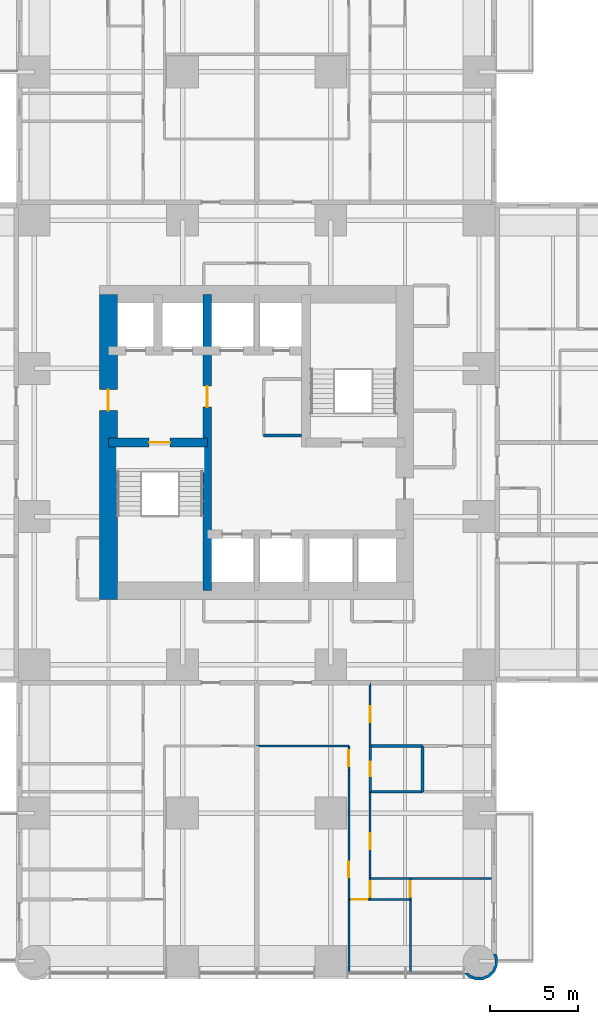
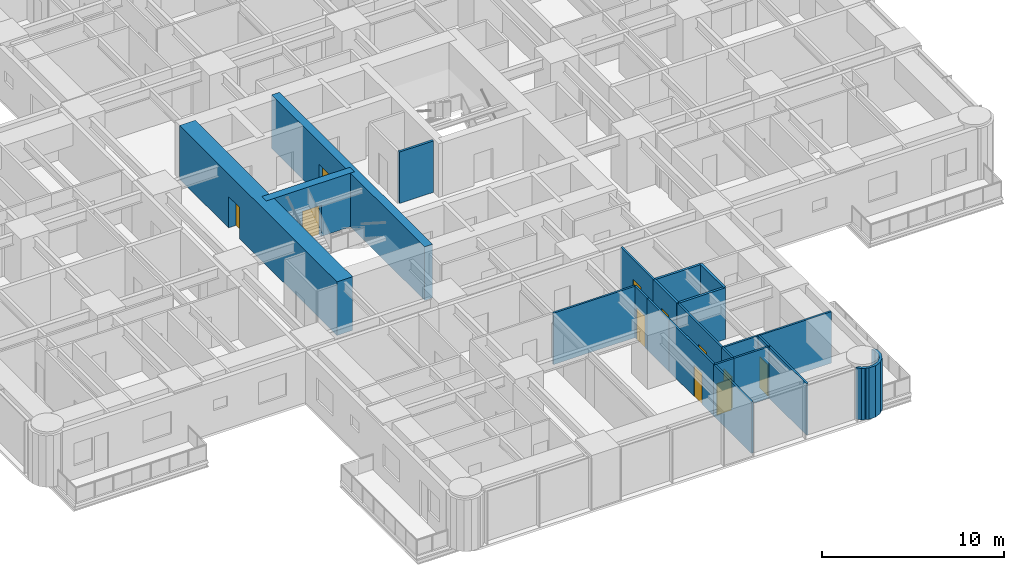
# One storey, part 9 of 17: 23 walls, 11 doors, 11 openings.
"""IFC4 building model written with IfcOpenShell, lengths in metres."""

import ifcopenshell
import ifcopenshell.guid

model = None  # the IFC model being written
_history = None  # IfcOwnerHistory: only IFC2X3 demands one
_inside = {}  # id of a spatial element -> (the spatial element, [elements in it])
_under = {}  # id of a project, library or spatial element -> (it, [spatial elements below it])
_declared = {}  # id of a project -> (the project, [libraries it declares])
_typed = {}  # id of a type object -> (the type object, [elements of that type])
_made_of = {}  # id of a material, layer set ... -> (it, [elements and type objects made of it])


def new_model(schema):
    """Start an empty IFC model of exactly this schema.

    Asked for "IFC4X3", IfcOpenShell would pick the latest addendum, in which some entities
    have other attributes; the version numbers below select the first issue.
    IFC2X3 requires an IfcOwnerHistory on every rooted entity: one is made here for all.
    """
    global model, _history
    if schema == "IFC4X3":
        model = ifcopenshell.file(schema_version=(4, 3, 0, 0))
    else:
        model = ifcopenshell.file(schema=schema)
    _inside.clear()
    _under.clear()
    _declared.clear()
    _typed.clear()
    _made_of.clear()
    _history = None
    if model.schema == "IFC2X3":
        org = make("IfcOrganization", Name="unknown")
        user = make(
            "IfcPersonAndOrganization",
            ThePerson=make("IfcPerson", FamilyName="unknown"),
            TheOrganization=org,
        )
        app = make(
            "IfcApplication",
            ApplicationDeveloper=org,
            Version="unknown",
            ApplicationFullName="unknown",
            ApplicationIdentifier="unknown",
        )
        _history = make(
            "IfcOwnerHistory",
            OwningUser=user,
            OwningApplication=app,
            ChangeAction="ADDED",
            CreationDate=0,
        )
    return model


def make(cls, **values):
    """One entity of the class cls with the attributes given. An attribute that is None is left unset."""
    return model.create_entity(
        cls, **{name: value for name, value in values.items() if value is not None}
    )


def rooted(cls, **values):
    """An entity with a GlobalId (a new one), such as an element, a storey or a relation."""
    return make(cls, GlobalId=ifcopenshell.guid.new(), OwnerHistory=_history, **values)


def si_unit(unit_type, name, prefix=None):
    """IfcSIUnit, for example si_unit("LENGTHUNIT", "METRE", prefix="MILLI")."""
    return make("IfcSIUnit", UnitType=unit_type, Prefix=prefix, Name=name)


def assignment(units):
    """IfcUnitAssignment: the units of a project."""
    return None if units is None else make("IfcUnitAssignment", Units=units)


def point(xyz):
    """IfcCartesianPoint."""
    return None if xyz is None else make("IfcCartesianPoint", Coordinates=xyz)


def direction(xyz):
    """IfcDirection."""
    return None if xyz is None else make("IfcDirection", DirectionRatios=xyz)


def frame(location, z_axis=None, x_axis=None):
    """IfcAxis2Placement3D, a coordinate frame: its origin and axes. An axis left out is left unset."""
    return make(
        "IfcAxis2Placement3D",
        Location=point(location),
        Axis=direction(z_axis),
        RefDirection=direction(x_axis),
    )


def frame_2d(location, x_axis=None):
    """IfcAxis2Placement2D, a coordinate frame in the plane: its origin and x axis."""
    return make(
        "IfcAxis2Placement2D", Location=point(location), RefDirection=direction(x_axis)
    )


def origin():
    """The frame at (0, 0, 0) with its axes left unset."""
    return frame((0.0, 0.0, 0.0))


def place(relative_to, where):
    """IfcLocalPlacement: puts the frame where relative to a parent placement (None: the world)."""
    return make(
        "IfcLocalPlacement", PlacementRelTo=relative_to, RelativePlacement=where
    )


def context(
    kind, dimensions, precision=None, world=None, true_north=None, identifier=None
):
    """IfcGeometricRepresentationContext, for example the 3D "Model" context."""
    return make(
        "IfcGeometricRepresentationContext",
        ContextIdentifier=identifier,
        ContextType=kind,
        CoordinateSpaceDimension=dimensions,
        Precision=precision,
        WorldCoordinateSystem=world,
        TrueNorth=true_north,
    )


def subcontext(parent, identifier, kind, view, scale=None):
    """IfcGeometricRepresentationSubContext, for example "Body" below "Model"."""
    return make(
        "IfcGeometricRepresentationSubContext",
        ContextIdentifier=identifier,
        ContextType=kind,
        ParentContext=parent,
        TargetScale=scale,
        TargetView=view,
    )


def project(units=None, contexts=None):
    """IfcProject with its units and contexts."""
    return rooted(
        "IfcProject",
        Name="project",
        RepresentationContexts=contexts,
        UnitsInContext=assignment(units),
    )


def spatial(cls, under=None, at=None, **own):
    """A site, building, storey or space (cls), placed at a placement, below another one or the project."""
    s = rooted(cls, ObjectPlacement=at, **own)
    if under is not None:
        _under.setdefault(under.id(), (under, []))[1].append(s)
    return s


def polyline(points):
    """IfcPolyline through the points."""
    return make("IfcPolyline", Points=[point(p) for p in points])


def profile(cls, at=None, kind="AREA", **sizes):
    """A parametric profile (cls). Its sizes go by their IFC names, for example OverallWidth=200.0."""
    return make(cls, ProfileType=kind, Position=at, **sizes)


def rectangle(**sizes):
    """IfcRectangleProfileDef."""
    return profile("IfcRectangleProfileDef", **sizes)


def outline(outer, holes=None, kind="AREA"):
    """IfcArbitraryClosedProfileDef: a profile drawn as a closed curve; with holes, ...WithVoids."""
    if holes is None:
        return make("IfcArbitraryClosedProfileDef", ProfileType=kind, OuterCurve=outer)
    return make(
        "IfcArbitraryProfileDefWithVoids",
        ProfileType=kind,
        OuterCurve=outer,
        InnerCurves=holes,
    )


def extrude(swept, where, along, depth):
    """IfcExtrudedAreaSolid: the profile swept, set in the frame where, extruded along a direction by depth."""
    return make(
        "IfcExtrudedAreaSolid",
        SweptArea=swept,
        Position=where,
        ExtrudedDirection=direction(along),
        Depth=depth,
    )


def shape(context_of_items, identifier, shape_type, items):
    """IfcShapeRepresentation: the items that make up one representation, for example the "Body"."""
    return make(
        "IfcShapeRepresentation",
        ContextOfItems=context_of_items,
        RepresentationIdentifier=identifier,
        RepresentationType=shape_type,
        Items=items,
    )


def material(Name=None, Category=None):
    """IfcMaterial."""
    return make("IfcMaterial", Name=Name, Category=Category)


def layer(
    of_material, thickness, ventilated=None, Name=None, Category=None, Priority=None
):
    """IfcMaterialLayer: one layer of a wall or slab, of a material (None: an air gap)."""
    return make(
        "IfcMaterialLayer",
        Material=of_material,
        LayerThickness=thickness,
        IsVentilated=ventilated,
        Name=Name,
        Category=Category,
        Priority=Priority,
    )


def layer_set(layers, Name=None):
    """IfcMaterialLayerSet."""
    return make("IfcMaterialLayerSet", MaterialLayers=layers, LayerSetName=Name)


def made_of(thing, what):
    """Note that an element or type object is made of a material, layer set ...; save() writes the relation."""
    if what is not None:
        _made_of.setdefault(what.id(), (what, []))[1].append(thing)
    return thing


def type_object(cls, material=None, **own):
    """A type object (cls), such as IfcWallType, which elements share."""
    return made_of(rooted(cls, **own), material)


def element(
    cls,
    number,
    at=None,
    inside=None,
    cuts=None,
    type_object=None,
    material=None,
    context=None,
    identifier="Body",
    shape_type=None,
    held_by="IfcProductDefinitionShape",
    body=None,
    shapes=None,
    **own,
):
    """One element of the class cls, such as IfcWall. Its Tag is "e" and its number.

    at: its placement. inside: the storey or other place that contains it. cuts: it is an
    opening in that element (IfcRelVoidsElement). A single representation is given by context,
    identifier, shape_type and body (its items); several are given by shapes. held_by: the class
    of the entity that holds the representations. save() writes the other relations.
    """
    e = rooted(cls, Tag="e%d" % number, ObjectPlacement=at, **own)
    if body is not None:
        shapes = [shape(context, identifier, shape_type, body)]
    if shapes is not None:
        e.Representation = make(held_by, Representations=shapes)
    if inside is not None:
        _inside.setdefault(inside.id(), (inside, []))[1].append(e)
    if cuts is not None:
        rooted(
            "IfcRelVoidsElement", RelatingBuildingElement=cuts, RelatedOpeningElement=e
        )
    if type_object is not None:
        _typed.setdefault(type_object.id(), (type_object, []))[1].append(e)
    return made_of(e, material)


def fill(opening, filler):
    """IfcRelFillsElement: the door or window that sits in an opening."""
    return rooted(
        "IfcRelFillsElement",
        RelatingOpeningElement=opening,
        RelatedBuildingElement=filler,
    )


def aggregate(whole, parts):
    """IfcRelAggregates: a whole, such as a stair, and the parts it consists of."""
    return rooted("IfcRelAggregates", RelatingObject=whole, RelatedObjects=parts)


def save(model, path):
    """Write the relations noted so far, then the file.

    IfcRelAggregates (storeys below a building ...), IfcRelContainedInSpatialStructure (elements
    in a storey), IfcRelDefinesByType, IfcRelAssociatesMaterial and IfcRelDeclares: one each for
    every whole, place, type object, material and project.
    """
    for whole, parts in _under.values():
        aggregate(whole, parts)
    for where, things in _inside.values():
        rooted(
            "IfcRelContainedInSpatialStructure",
            RelatedElements=things,
            RelatingStructure=where,
        )
    for kind, things in _typed.values():
        rooted("IfcRelDefinesByType", RelatedObjects=things, RelatingType=kind)
    for what, things in _made_of.values():
        rooted("IfcRelAssociatesMaterial", RelatedObjects=things, RelatingMaterial=what)
    for by, libraries in _declared.values():
        rooted("IfcRelDeclares", RelatingContext=by, RelatedDefinitions=libraries)
    model.write(path)


model = new_model("IFC4")

# Units and contexts
model_context = context("Model", 3, precision=1e-05, world=origin(), true_north=direction((0.0, 1.0)))
body_context = subcontext(model_context, "Body", "Model", "MODEL_VIEW")
ifc_project = project(units=[si_unit("LENGTHUNIT", "METRE"), si_unit("AREAUNIT", "SQUARE_METRE"), si_unit("VOLUMEUNIT", "CUBIC_METRE"), si_unit("PLANEANGLEUNIT", "RADIAN"), si_unit("MASSUNIT", "GRAM", prefix="KILO")], contexts=[model_context])

# Site, building, storey
site_placement = place(None, origin())
site = spatial("IfcSite", under=ifc_project, at=site_placement, CompositionType="ELEMENT")
building_placement = place(site_placement, origin())
building = spatial("IfcBuilding", under=site, at=building_placement, Name="Torre Alcanfor", CompositionType="ELEMENT")
storey_placement = place(building_placement, frame((0.0, 0.0, 56.10009765625)))
storey = spatial("IfcBuildingStorey", under=building, at=storey_placement, Name="L13", CompositionType="ELEMENT", Elevation=56.10009765625)

# Wall
ifc_material_1 = material(Name="Gypsum board on steel studs", Category="steel")
ifc_layer_1 = layer(ifc_material_1, 0.1201171875)
ifc_layer_set_1 = layer_set([ifc_layer_1], Name="Apartment partition 120")
wall_type_1 = type_object("IfcWallType", Name="Apartment partition 120", PredefinedType="PARTITIONING", material=ifc_layer_set_1)
wall_1_placement = place(storey_placement, frame((29.39990234375, 12.199951171875, 0.0), z_axis=(0.0, 0.0, 1.0), x_axis=(1.0, 0.0, 0.0)))
element("IfcWall", 1, at=wall_1_placement, inside=storey, type_object=wall_type_1, Name="Partition L13-S1-ZAG / L13-S1-LAUND", PredefinedType="PARTITIONING", context=body_context, shape_type="SweptSolid", body=[
    extrude(rectangle(XDim=5.22900390625, YDim=0.1201171875, at=frame_2d((2.614501953125, 0.0))), origin(), (0.0, 0.0, 1.0), 3.449951171875),
])

# Wall, opening, door
wall_2_placement = place(storey_placement, frame((34.62890625, 10.800048828125, 0.0), z_axis=(0.0, 0.0, 1.0), x_axis=(0.0, 1.0, 0.0)))
wall_2 = element("IfcWall", 2, at=wall_2_placement, inside=storey, type_object=wall_type_1, Name="Partition L13-S1-LAUND / L13-S1-HALL", PredefinedType="PARTITIONING", context=body_context, shape_type="SweptSolid", body=[
    extrude(rectangle(XDim=1.39990234375, YDim=0.1201171875, at=frame_2d((0.699951171875, 0.0))), origin(), (0.0, 0.0, 1.0), 3.449951171875),
])
opening_1_placement = place(wall_2_placement, frame((0.25, 0.0, 0.0)))
opening_1 = element("IfcOpeningElement", 3, at=opening_1_placement, cuts=wall_2, Name="Opening D-R1", PredefinedType="OPENING", context=body_context, shape_type="SweptSolid", body=[
    extrude(rectangle(XDim=0.89990234375, YDim=2.10009765625, at=frame_2d((0.449951171875, 1.050048828125))), frame((0.0, 0.070068359375, 0.0), z_axis=(0.0, -1.0, 0.0), x_axis=(1.0, 0.0, 0.0)), (0.0, 0.0, 1.0), 0.14013671875),
])
ifc_material_2 = material(Name="Timber", Category="wood")
door_type_1 = type_object("IfcDoorType", Name="Internal door 900x2100", OperationType="SINGLE_SWING_LEFT", PredefinedType="DOOR", material=ifc_material_2)
door_1_placement = place(opening_1_placement, origin())
door_1 = element("IfcDoor", 4, at=door_1_placement, inside=storey, type_object=door_type_1, Name="Door L13-S1 laund", OperationType="SINGLE_SWING_LEFT", OverallHeight=2.10009765625, OverallWidth=0.89990234375, PredefinedType="DOOR", context=body_context, shape_type="SweptSolid", body=[
    extrude(rectangle(XDim=0.89990234375, YDim=2.10009765625, at=frame_2d((0.449951171875, 1.050048828125))), frame((0.0, 0.02490234375, 0.0), z_axis=(0.0, -1.0, 0.0), x_axis=(1.0, 0.0, 0.0)), (0.0, 0.0, 1.0), 0.050048828125),
])
fill(opening_1, door_1)

# Wall
wall_3_placement = place(storey_placement, frame((34.62890625, 8.39990234375, 0.0), z_axis=(0.0, 0.0, 1.0), x_axis=(0.0, 1.0, 0.0)))
element("IfcWall", 5, at=wall_3_placement, inside=storey, type_object=wall_type_1, Name="Partition L13-S1-KITCHEN / L13-S1-HALL", PredefinedType="PARTITIONING", context=body_context, shape_type="SweptSolid", body=[
    extrude(rectangle(XDim=2.400146484375, YDim=0.1201171875, at=frame_2d((1.2001953125, 0.0))), origin(), (0.0, 0.0, 1.0), 3.449951171875),
])

# Wall, opening, door
wall_4_placement = place(storey_placement, frame((34.62890625, 3.5, 0.0), z_axis=(0.0, 0.0, 1.0), x_axis=(0.0, 1.0, 0.0)))
wall_4 = element("IfcWall", 6, at=wall_4_placement, inside=storey, type_object=wall_type_1, Name="Partition L13-S1-LIVING / L13-S1-HALL", PredefinedType="PARTITIONING", context=body_context, shape_type="SweptSolid", body=[
    extrude(rectangle(XDim=4.89990234375, YDim=0.1201171875, at=frame_2d((2.449951171875, 0.0))), origin(), (0.0, 0.0, 1.0), 3.449951171875),
])
opening_2_placement = place(wall_4_placement, frame((1.25, 0.0, 0.0)))
opening_2 = element("IfcOpeningElement", 7, at=opening_2_placement, cuts=wall_4, Name="Opening D-R1", PredefinedType="OPENING", context=body_context, shape_type="SweptSolid", body=[
    extrude(rectangle(XDim=0.89990234375, YDim=2.10009765625, at=frame_2d((0.449951171875, 1.050048828125))), frame((0.0, 0.070068359375, 0.0), z_axis=(0.0, -1.0, 0.0), x_axis=(1.0, 0.0, 0.0)), (0.0, 0.0, 1.0), 0.14013671875),
])
door_2_placement = place(opening_2_placement, origin())
door_2 = element("IfcDoor", 8, at=door_2_placement, inside=storey, type_object=door_type_1, Name="Door L13-S1 living", OperationType="SINGLE_SWING_RIGHT", OverallHeight=2.10009765625, OverallWidth=0.89990234375, PredefinedType="DOOR", context=body_context, shape_type="SweptSolid", body=[
    extrude(rectangle(XDim=0.89990234375, YDim=2.10009765625, at=frame_2d((0.449951171875, 1.050048828125))), frame((0.0, 0.02490234375, 0.0), z_axis=(0.0, -1.0, 0.0), x_axis=(1.0, 0.0, 0.0)), (0.0, 0.0, 1.0), 0.050048828125),
])
fill(opening_2, door_2)

# Wall
wall_5_placement = place(storey_placement, frame((34.62890625, -0.64990234375, 0.0), z_axis=(0.0, 0.0, 1.0), x_axis=(0.0, 1.0, 0.0)))
element("IfcWall", 9, at=wall_5_placement, inside=storey, type_object=wall_type_1, Name="Partition L13-S1-LIVING / L13-S1-BED2", PredefinedType="PARTITIONING", context=body_context, shape_type="SweptSolid", body=[
    extrude(rectangle(XDim=4.14990234375, YDim=0.1201171875, at=frame_2d((2.074951171875, 0.0))), origin(), (0.0, 0.0, 1.0), 3.449951171875),
])

# Wall, opening, door
wall_6_placement = place(storey_placement, frame((35.8291015625, 12.199951171875, 0.0), z_axis=(0.0, 0.0, 1.0), x_axis=(0.0, 1.0, 0.0)))
wall_6 = element("IfcWall", 10, at=wall_6_placement, inside=storey, type_object=wall_type_1, Name="Partition L13-S1-HALL / L13-S1-SERV", PredefinedType="PARTITIONING", context=body_context, shape_type="SweptSolid", body=[
    extrude(rectangle(XDim=3.574951171875, YDim=0.1201171875, at=frame_2d((1.78759765625, 0.0))), origin(), (0.0, 0.0, 1.0), 3.449951171875),
])
opening_3_placement = place(wall_6_placement, frame((1.35009765625, 0.0, 0.0)))
opening_3 = element("IfcOpeningElement", 11, at=opening_3_placement, cuts=wall_6, Name="Opening D-R1", PredefinedType="OPENING", context=body_context, shape_type="SweptSolid", body=[
    extrude(rectangle(XDim=0.89990234375, YDim=2.10009765625, at=frame_2d((0.449951171875, 1.050048828125))), frame((0.0, 0.070068359375, 0.0), z_axis=(0.0, -1.0, 0.0), x_axis=(1.0, 0.0, 0.0)), (0.0, 0.0, 1.0), 0.14013671875),
])
door_3_placement = place(opening_3_placement, frame((0.89990234375, 0.0, 0.0), z_axis=(0.0, 0.0, 1.0), x_axis=(-1.0, 0.0, 0.0)))
door_3 = element("IfcDoor", 12, at=door_3_placement, inside=storey, type_object=door_type_1, Name="Door L13-S1 serv", OperationType="SINGLE_SWING_LEFT", OverallHeight=2.10009765625, OverallWidth=0.89990234375, PredefinedType="DOOR", context=body_context, shape_type="SweptSolid", body=[
    extrude(rectangle(XDim=0.89990234375, YDim=2.10009765625, at=frame_2d((0.449951171875, 1.050048828125))), frame((0.0, 0.025146484375, 0.0), z_axis=(0.0, -1.0, 0.0), x_axis=(1.0, 0.0, 0.0)), (0.0, 0.0, 1.0), 0.050048828125),
])
fill(opening_3, door_3)

wall_7_placement = place(storey_placement, frame((35.8291015625, 4.699951171875, 0.0), z_axis=(0.0, 0.0, 1.0), x_axis=(0.0, 1.0, 0.0)))
wall_7 = element("IfcWall", 13, at=wall_7_placement, inside=storey, type_object=wall_type_1, Name="Partition L13-S1-HALL / L13-S1-BED3", PredefinedType="PARTITIONING", context=body_context, shape_type="SweptSolid", body=[
    extrude(rectangle(XDim=4.900146484375, YDim=0.1201171875, at=frame_2d((2.4501953125, 0.0))), origin(), (0.0, 0.0, 1.0), 3.449951171875),
])
opening_4_placement = place(wall_7_placement, frame((1.64990234375, 0.0, 0.0)))
opening_4 = element("IfcOpeningElement", 14, at=opening_4_placement, cuts=wall_7, Name="Opening D-R1", PredefinedType="OPENING", context=body_context, shape_type="SweptSolid", body=[
    extrude(rectangle(XDim=0.89990234375, YDim=2.10009765625, at=frame_2d((0.449951171875, 1.050048828125))), frame((0.0, 0.070068359375, 0.0), z_axis=(0.0, -1.0, 0.0), x_axis=(1.0, 0.0, 0.0)), (0.0, 0.0, 1.0), 0.14013671875),
])
door_4_placement = place(opening_4_placement, frame((0.89990234375, 0.0, 0.0), z_axis=(0.0, 0.0, 1.0), x_axis=(-1.0, 0.0, 0.0)))
door_4 = element("IfcDoor", 15, at=door_4_placement, inside=storey, type_object=door_type_1, Name="Door L13-S1 bed3", OperationType="SINGLE_SWING_RIGHT", OverallHeight=2.10009765625, OverallWidth=0.89990234375, PredefinedType="DOOR", context=body_context, shape_type="SweptSolid", body=[
    extrude(rectangle(XDim=0.89990234375, YDim=2.10009765625, at=frame_2d((0.449951171875, 1.050048828125))), frame((0.0, 0.025146484375, 0.0), z_axis=(0.0, -1.0, 0.0), x_axis=(1.0, 0.0, 0.0)), (0.0, 0.0, 1.0), 0.050048828125),
])
fill(opening_4, door_4)

wall_8_placement = place(storey_placement, frame((35.8291015625, 3.5, 0.0), z_axis=(0.0, 0.0, 1.0), x_axis=(0.0, 1.0, 0.0)))
wall_8 = element("IfcWall", 16, at=wall_8_placement, inside=storey, type_object=wall_type_1, Name="Partition L13-S1-HALL / L13-S1-VEST", PredefinedType="PARTITIONING", context=body_context, shape_type="SweptSolid", body=[
    extrude(rectangle(XDim=1.199951171875, YDim=0.1201171875, at=frame_2d((0.60009765625, 0.0))), origin(), (0.0, 0.0, 1.0), 3.449951171875),
])
opening_5_placement = place(wall_8_placement, frame((0.14990234375, 0.0, 0.0)))
opening_5 = element("IfcOpeningElement", 17, at=opening_5_placement, cuts=wall_8, Name="Opening D-R1", PredefinedType="OPENING", context=body_context, shape_type="SweptSolid", body=[
    extrude(rectangle(XDim=0.89990234375, YDim=2.10009765625, at=frame_2d((0.449951171875, 1.050048828125))), frame((0.0, 0.070068359375, 0.0), z_axis=(0.0, -1.0, 0.0), x_axis=(1.0, 0.0, 0.0)), (0.0, 0.0, 1.0), 0.14013671875),
])
door_5_placement = place(opening_5_placement, frame((0.89990234375, 0.0, 0.0), z_axis=(0.0, 0.0, 1.0), x_axis=(-1.0, 0.0, 0.0)))
door_5 = element("IfcDoor", 18, at=door_5_placement, inside=storey, type_object=door_type_1, Name="Door L13-S1 vest", OperationType="SINGLE_SWING_RIGHT", OverallHeight=2.10009765625, OverallWidth=0.89990234375, PredefinedType="DOOR", context=body_context, shape_type="SweptSolid", body=[
    extrude(rectangle(XDim=0.89990234375, YDim=2.10009765625, at=frame_2d((0.449951171875, 1.050048828125))), frame((0.0, 0.025146484375, 0.0), z_axis=(0.0, -1.0, 0.0), x_axis=(1.0, 0.0, 0.0)), (0.0, 0.0, 1.0), 0.050048828125),
])
fill(opening_5, door_5)

wall_9_placement = place(storey_placement, frame((34.62890625, 3.5, 0.0), z_axis=(0.0, 0.0, 1.0), x_axis=(1.0, 0.0, 0.0)))
wall_9 = element("IfcWall", 19, at=wall_9_placement, inside=storey, type_object=wall_type_1, Name="Partition L13-S1-HALL / L13-S1-BED2", PredefinedType="PARTITIONING", context=body_context, shape_type="SweptSolid", body=[
    extrude(rectangle(XDim=1.2001953125, YDim=0.1201171875, at=frame_2d((0.60009765625, 0.0))), origin(), (0.0, 0.0, 1.0), 3.449951171875),
])
opening_6_placement = place(wall_9_placement, frame((0.15087890625, 0.0, 0.0)))
opening_6 = element("IfcOpeningElement", 20, at=opening_6_placement, cuts=wall_9, Name="Opening D-R1", PredefinedType="OPENING", context=body_context, shape_type="SweptSolid", body=[
    extrude(rectangle(XDim=0.89990234375, YDim=2.10009765625, at=frame_2d((0.449951171875, 1.050048828125))), frame((0.0, 0.070068359375, 0.0), z_axis=(0.0, -1.0, 0.0), x_axis=(1.0, 0.0, 0.0)), (0.0, 0.0, 1.0), 0.14013671875),
])
door_6_placement = place(opening_6_placement, frame((0.89990234375, 0.0, 0.0), z_axis=(0.0, 0.0, 1.0), x_axis=(-1.0, 0.0, 0.0)))
door_6 = element("IfcDoor", 21, at=door_6_placement, inside=storey, type_object=door_type_1, Name="Door L13-S1 bed2", OperationType="SINGLE_SWING_RIGHT", OverallHeight=2.10009765625, OverallWidth=0.89990234375, PredefinedType="DOOR", context=body_context, shape_type="SweptSolid", body=[
    extrude(rectangle(XDim=0.89990234375, YDim=2.10009765625, at=frame_2d((0.449951171875, 1.050048828125))), frame((0.0, 0.025146484375, 0.0), z_axis=(0.0, -1.0, 0.0), x_axis=(1.0, 0.0, 0.0)), (0.0, 0.0, 1.0), 0.050048828125),
])
fill(opening_6, door_6)

# Walls
wall_10_placement = place(storey_placement, frame((35.8291015625, 4.699951171875, 0.0), z_axis=(0.0, 0.0, 1.0), x_axis=(1.0, 0.0, 0.0)))
element("IfcWall", 22, at=wall_10_placement, inside=storey, type_object=wall_type_1, Name="Partition L13-S1-BED3 / L13-S1-VEST", PredefinedType="PARTITIONING", context=body_context, shape_type="SweptSolid", body=[
    extrude(rectangle(XDim=2.284912109375, YDim=0.1201171875, at=frame_2d((1.142578125, 0.0))), origin(), (0.0, 0.0, 1.0), 3.449951171875),
])
wall_11_placement = place(storey_placement, frame((38.114013671875, 4.699951171875, 0.0), z_axis=(0.0, 0.0, 1.0), x_axis=(1.0, 0.0, 0.0)))
element("IfcWall", 23, at=wall_11_placement, inside=storey, type_object=wall_type_1, Name="Partition L13-S1-BED3 / L13-S1-MASTER", PredefinedType="PARTITIONING", context=body_context, shape_type="SweptSolid", body=[
    extrude(rectangle(XDim=4.5859375, YDim=0.1201171875, at=frame_2d((2.29296875, 0.0))), origin(), (0.0, 0.0, 1.0), 3.449951171875),
])
wall_12_placement = place(storey_placement, frame((35.8291015625, 3.5, 0.0), z_axis=(0.0, 0.0, 1.0), x_axis=(1.0, 0.0, 0.0)))
element("IfcWall", 24, at=wall_12_placement, inside=storey, type_object=wall_type_1, Name="Partition L13-S1-VEST / L13-S1-BED2", PredefinedType="PARTITIONING", context=body_context, shape_type="SweptSolid", body=[
    extrude(rectangle(XDim=2.284912109375, YDim=0.1201171875, at=frame_2d((1.142578125, 0.0))), origin(), (0.0, 0.0, 1.0), 3.449951171875),
])

# Wall, opening, door
wall_13_placement = place(storey_placement, frame((38.114013671875, 3.5, 0.0), z_axis=(0.0, 0.0, 1.0), x_axis=(0.0, 1.0, 0.0)))
wall_13 = element("IfcWall", 25, at=wall_13_placement, inside=storey, type_object=wall_type_1, Name="Partition L13-S1-VEST / L13-S1-MASTER", PredefinedType="PARTITIONING", context=body_context, shape_type="SweptSolid", body=[
    extrude(rectangle(XDim=1.199951171875, YDim=0.1201171875, at=frame_2d((0.60009765625, 0.0))), origin(), (0.0, 0.0, 1.0), 3.449951171875),
])
opening_7_placement = place(wall_13_placement, frame((0.14990234375, 0.0, 0.0)))
opening_7 = element("IfcOpeningElement", 26, at=opening_7_placement, cuts=wall_13, Name="Opening D-R1", PredefinedType="OPENING", context=body_context, shape_type="SweptSolid", body=[
    extrude(rectangle(XDim=0.89990234375, YDim=2.10009765625, at=frame_2d((0.449951171875, 1.050048828125))), frame((0.0, 0.070068359375, 0.0), z_axis=(0.0, -1.0, 0.0), x_axis=(1.0, 0.0, 0.0)), (0.0, 0.0, 1.0), 0.14013671875),
])
door_7_placement = place(opening_7_placement, origin())
door_7 = element("IfcDoor", 27, at=door_7_placement, inside=storey, type_object=door_type_1, Name="Door L13-S1 master", OperationType="SINGLE_SWING_LEFT", OverallHeight=2.10009765625, OverallWidth=0.89990234375, PredefinedType="DOOR", context=body_context, shape_type="SweptSolid", body=[
    extrude(rectangle(XDim=0.89990234375, YDim=2.10009765625, at=frame_2d((0.449951171875, 1.050048828125))), frame((0.0, 0.02490234375, 0.0), z_axis=(0.0, -1.0, 0.0), x_axis=(1.0, 0.0, 0.0)), (0.0, 0.0, 1.0), 0.050048828125),
])
fill(opening_7, door_7)

# Wall
wall_14_placement = place(storey_placement, frame((38.114013671875, -0.64990234375, 0.0), z_axis=(0.0, 0.0, 1.0), x_axis=(0.0, 1.0, 0.0)))
element("IfcWall", 28, at=wall_14_placement, inside=storey, type_object=wall_type_1, Name="Partition L13-S1-BED2 / L13-S1-MASTER", PredefinedType="PARTITIONING", context=body_context, shape_type="SweptSolid", body=[
    extrude(rectangle(XDim=4.14990234375, YDim=0.1201171875, at=frame_2d((2.074951171875, 0.0))), origin(), (0.0, 0.0, 1.0), 3.449951171875),
])

# Wall, opening, door
ifc_material_3 = material(Name="Concrete f'c 70 MPa", Category="concrete")
ifc_layer_2 = layer(ifc_material_3, 0.5)
ifc_layer_set_2 = layer_set([ifc_layer_2], Name="Core inner wall 500 f'c70")
wall_type_2 = type_object("IfcWallType", Name="Core inner wall 500 f'c70", PredefinedType="SHEAR", material=ifc_layer_set_2)
wall_15_placement = place(storey_placement, frame((26.60009765625, 21.0, 0.0), z_axis=(0.0, 0.0, 1.0), x_axis=(0.0, 1.0, 0.0)))
wall_15 = element("IfcWall", 29, at=wall_15_placement, inside=storey, type_object=wall_type_2, Name="Core wall X266 L13", PredefinedType="SHEAR", context=body_context, shape_type="SweptSolid", body=[
    extrude(rectangle(XDim=16.800048828125, YDim=0.5, at=frame_2d((8.39990234375, 0.0))), origin(), (0.0, 0.0, 1.0), 3.599853515625),
])
opening_8_placement = place(wall_15_placement, frame((10.39990234375, 0.0, 0.0)))
opening_8 = element("IfcOpeningElement", 30, at=opening_8_placement, cuts=wall_15, Name="Opening D-L1", PredefinedType="OPENING", context=body_context, shape_type="SweptSolid", body=[
    extrude(rectangle(XDim=1.199951171875, YDim=2.10009765625, at=frame_2d((0.60009765625, 1.050048828125))), frame((0.0, 0.260009765625, 0.0), z_axis=(0.0, -1.0, 0.0), x_axis=(1.0, 0.0, 0.0)), (0.0, 0.0, 1.0), 0.52001953125),
])
ifc_material_4 = material(Name="Galvanised steel sheet ASTM A653", Category="steel")
door_type_2 = type_object("IfcDoorType", Name="Lobby door FD120 1200x2100", OperationType="SINGLE_SWING_LEFT", PredefinedType="DOOR", material=ifc_material_4)
door_8_placement = place(opening_8_placement, origin())
door_8 = element("IfcDoor", 31, at=door_8_placement, inside=storey, type_object=door_type_2, Name="Lift lobby door L13", OperationType="SINGLE_SWING_LEFT", OverallHeight=2.10009765625, OverallWidth=1.199951171875, PredefinedType="DOOR", context=body_context, shape_type="SweptSolid", body=[
    extrude(rectangle(XDim=1.199951171875, YDim=2.10009765625, at=frame_2d((0.60009765625, 1.050048828125))), frame((0.0, 0.02490234375, 0.0), z_axis=(0.0, -1.0, 0.0), x_axis=(1.0, 0.0, 0.0)), (0.0, 0.0, 1.0), 0.050048828125),
])
fill(opening_8, door_8)

wall_16_placement = place(storey_placement, frame((21.0, 29.39990234375, 0.0), z_axis=(0.0, 0.0, 1.0), x_axis=(1.0, 0.0, 0.0)))
wall_16 = element("IfcWall", 32, at=wall_16_placement, inside=storey, type_object=wall_type_2, Name="Core wall Y294W L13", PredefinedType="SHEAR", context=body_context, shape_type="SweptSolid", body=[
    extrude(rectangle(XDim=5.60009765625, YDim=0.5, at=frame_2d((2.800048828125, 0.0))), origin(), (0.0, 0.0, 1.0), 3.599853515625),
])
opening_9_placement = place(wall_16_placement, frame((2.300048828125, 0.0, 0.0)))
opening_9 = element("IfcOpeningElement", 33, at=opening_9_placement, cuts=wall_16, Name="Opening D-S2", PredefinedType="OPENING", context=body_context, shape_type="SweptSolid", body=[
    extrude(rectangle(XDim=1.199951171875, YDim=2.10009765625, at=frame_2d((0.60009765625, 1.050048828125))), frame((0.0, 0.260009765625, 0.0), z_axis=(0.0, -1.0, 0.0), x_axis=(1.0, 0.0, 0.0)), (0.0, 0.0, 1.0), 0.52001953125),
])
ifc_material_5 = material(Name="Galvanised steel sheet ASTM A653", Category="steel")
door_type_3 = type_object("IfcDoorType", Name="Stair enclosure door FD120 1200x2100", OperationType="SINGLE_SWING_LEFT", PredefinedType="DOOR", material=ifc_material_5)
door_9_placement = place(opening_9_placement, frame((1.199951171875, 0.0, 0.0), z_axis=(0.0, 0.0, 1.0), x_axis=(-1.0, 0.0, 0.0)))
door_9 = element("IfcDoor", 34, at=door_9_placement, inside=storey, type_object=door_type_3, Name="Stair S1 door L13", OperationType="SINGLE_SWING_LEFT", OverallHeight=2.10009765625, OverallWidth=1.199951171875, PredefinedType="DOOR", context=body_context, shape_type="SweptSolid", body=[
    extrude(rectangle(XDim=1.199951171875, YDim=2.10009765625, at=frame_2d((0.599853515625, 1.050048828125))), frame((0.0, 0.025146484375, 0.0), z_axis=(0.0, -1.0, 0.0), x_axis=(1.0, 0.0, 0.0)), (0.0, 0.0, 1.0), 0.050048828125),
])
fill(opening_9, door_9)

ifc_material_6 = material(Name="Concrete f'c 70 MPa", Category="concrete")
ifc_layer_3 = layer(ifc_material_6, 1.0)
ifc_layer_set_3 = layer_set([ifc_layer_3], Name="Core wall 1000 f'c70")
wall_type_3 = type_object("IfcWallType", Name="Core wall 1000 f'c70", PredefinedType="SHEAR", material=ifc_layer_set_3)
wall_17_placement = place(storey_placement, frame((21.0, 37.800048828125, 0.0), z_axis=(0.0, 0.0, 1.0), x_axis=(0.0, -1.0, 0.0)))
wall_17 = element("IfcWall", 35, at=wall_17_placement, inside=storey, type_object=wall_type_3, Name="Core wall OUT-W L13", PredefinedType="SHEAR", context=body_context, shape_type="SweptSolid", body=[
    extrude(rectangle(XDim=17.300048828125, YDim=1.0, at=frame_2d((8.64990234375, 0.0))), origin(), (0.0, 0.0, 1.0), 3.599853515625),
])
opening_10_placement = place(wall_17_placement, frame((5.39990234375, 0.0, 0.0)))
opening_10 = element("IfcOpeningElement", 36, at=opening_10_placement, cuts=wall_17, Name="Opening D-L1", PredefinedType="OPENING", context=body_context, shape_type="SweptSolid", body=[
    extrude(rectangle(XDim=1.199951171875, YDim=2.10009765625, at=frame_2d((0.60009765625, 1.050048828125))), frame((0.0, 0.510009765625, 0.0), z_axis=(0.0, -1.0, 0.0), x_axis=(1.0, 0.0, 0.0)), (0.0, 0.0, 1.0), 1.02001953125),
])
door_10_placement = place(opening_10_placement, origin())
door_10 = element("IfcDoor", 37, at=door_10_placement, inside=storey, type_object=door_type_2, Name="Firefighting lobby door L13", OperationType="SINGLE_SWING_LEFT", OverallHeight=2.10009765625, OverallWidth=1.199951171875, PredefinedType="DOOR", context=body_context, shape_type="SweptSolid", body=[
    extrude(rectangle(XDim=1.199951171875, YDim=2.10009765625, at=frame_2d((0.60009765625, 1.050048828125))), frame((0.0, 0.02490234375, 0.0), z_axis=(0.0, -1.0, 0.0), x_axis=(1.0, 0.0, 0.0)), (0.0, 0.0, 1.0), 0.050048828125),
])
fill(opening_10, door_10)

# Walls
ifc_material_7 = material(Name="Concrete block masonry, hollow blocks NMX-C-404 9 MPa", Category="masonry")
ifc_layer_4 = layer(ifc_material_7, 0.14990234375)
ifc_layer_set_4 = layer_set([ifc_layer_4], Name="Residents' room partition 150")
wall_type_4 = type_object("IfcWallType", Name="Residents' room partition 150", PredefinedType="PARTITIONING", material=ifc_layer_set_4)
wall_18_placement = place(storey_placement, frame((31.949951171875, 29.800048828125, 0.0), z_axis=(0.0, 0.0, 1.0), x_axis=(-1.0, 0.0, 0.0)))
element("IfcWall", 38, at=wall_18_placement, inside=storey, type_object=wall_type_4, Name="Partition L13-LL / L13-CR1", PredefinedType="PARTITIONING", context=body_context, shape_type="SweptSolid", body=[
    extrude(rectangle(XDim=2.14990234375, YDim=0.14990234375, at=frame_2d((1.074951171875, 0.0))), origin(), (0.0, 0.0, 1.0), 3.449951171875),
])
ifc_material_8 = material(Name="Limestone cladding", Category="masonry")
ifc_layer_5 = layer(ifc_material_8, 0.0400390625, Name="Facing")
ifc_material_9 = material(Name="Ventilated air cavity")
ifc_layer_6 = layer(ifc_material_9, 0.02001953125, ventilated=True, Name="Ventilated joint")
ifc_material_10 = material(Name="Mineral wool insulation", Category="insulation")
ifc_layer_7 = layer(ifc_material_10, 0.10009765625, Name="Insulation")
ifc_material_11 = material(Name="Concrete f'c 35 MPa", Category="concrete")
ifc_layer_8 = layer(ifc_material_11, 0.139892578125, Name="Backing")
ifc_layer_set_5 = layer_set([ifc_layer_5, ifc_layer_6, ifc_layer_7, ifc_layer_8], Name="Rounded corner pier stone-clad 300")
wall_type_5 = type_object("IfcWallType", Name="Rounded corner pier stone-clad 300", PredefinedType="SOLIDWALL", material=ifc_layer_set_5)
wall_19_placement = place(storey_placement, frame((41.23340608, -0.610519256, 0.0), z_axis=(0.0, 0.0, 1.0), x_axis=(0.377204953059, -0.926129809145, 0.0)))
element("IfcWall", 39, at=wall_19_placement, inside=storey, type_object=wall_type_5, Name="Corner pier L13 16", PredefinedType="SOLIDWALL", context=body_context, shape_type="SweptSolid", body=[
    extrude(outline(polyline([(0.31873169437185855, 1.8425336525024494), (-0.07152710704046505, 2.001482809968314), (-0.24009471588869835, 2.0005449414227563), (-0.26941358666453996, 2.017231322070639), (-0.37003424962124987, 1.840731870737274), (-0.10240281114565264, 1.842182010528029), (0.22952066537421467, 1.7069923447343507), (0.48468330510664415, 1.4551793700683648), (0.6237907271323827, 1.1248909220292227), (0.6256685839754508, 0.7664021208386822), (0.49047891818177247, 0.4344786443188148), (0.23866594351578668, 0.1793160045863853), (0.09016005264750862, 0.11695717207098313), (0.01086965602056237, -0.07772001681430692), (0.024436010646714988, -0.08324547999388505), (0.3295868985749782, 0.04527476829386376), (0.48015223740573765, 0.19747796194128653), (0.49902760591309464, 0.19268993376963664), (0.5075741737852856, 0.2253240824532252), (0.6260202259498713, 0.3452676153211709), (0.7849693834157356, 0.7355264167334946), (0.7824906971943995, 1.1572636358175066), (0.6187245413991658, 1.5461003251275562), (0.31873169437185855, 1.8425336525024494)])), origin(), (0.0, 0.0, 1.0), 3.449951171875),
])

# Wall, opening, door
ifc_material_12 = material(Name="Cement board on steel studs", Category="steel")
ifc_layer_9 = layer(ifc_material_12, 0.14990234375)
ifc_layer_set_6 = layer_set([ifc_layer_9], Name="Wet area partition 150")
wall_type_6 = type_object("IfcWallType", Name="Wet area partition 150", PredefinedType="PARTITIONING", material=ifc_layer_set_6)
wall_20_placement = place(storey_placement, frame((35.8291015625, 9.60009765625, 0.0), z_axis=(0.0, 0.0, 1.0), x_axis=(0.0, 1.0, 0.0)))
wall_20 = element("IfcWall", 40, at=wall_20_placement, inside=storey, type_object=wall_type_6, Name="Partition L13-S1-HALL / L13-S1-BATH1", PredefinedType="PARTITIONING", context=body_context, shape_type="SweptSolid", body=[
    extrude(rectangle(XDim=2.599853515625, YDim=0.14990234375, at=frame_2d((1.2998046875, 0.0))), origin(), (0.0, 0.0, 1.0), 3.449951171875),
])
opening_11_placement = place(wall_20_placement, frame((0.89990234375, 0.0, 0.0)))
opening_11 = element("IfcOpeningElement", 41, at=opening_11_placement, cuts=wall_20, Name="Opening D-R2", PredefinedType="OPENING", context=body_context, shape_type="SweptSolid", body=[
    extrude(rectangle(XDim=0.800048828125, YDim=2.10009765625, at=frame_2d((0.39990234375, 1.050048828125))), frame((0.0, 0.0849609375, 0.0), z_axis=(0.0, -1.0, 0.0), x_axis=(1.0, 0.0, 0.0)), (0.0, 0.0, 1.0), 0.169921875),
])
ifc_material_13 = material(Name="Timber", Category="wood")
door_type_4 = type_object("IfcDoorType", Name="Bathroom door 800x2100", OperationType="SINGLE_SWING_LEFT", PredefinedType="DOOR", material=ifc_material_13)
door_11_placement = place(opening_11_placement, frame((0.800048828125, 0.0, 0.0), z_axis=(0.0, 0.0, 1.0), x_axis=(-1.0, 0.0, 0.0)))
door_11 = element("IfcDoor", 42, at=door_11_placement, inside=storey, type_object=door_type_4, Name="Door L13-S1 bath1", OperationType="SINGLE_SWING_RIGHT", OverallHeight=2.10009765625, OverallWidth=0.800048828125, PredefinedType="DOOR", context=body_context, shape_type="SweptSolid", body=[
    extrude(rectangle(XDim=0.800048828125, YDim=2.10009765625, at=frame_2d((0.400146484375, 1.050048828125))), frame((0.0, 0.025146484375, 0.0), z_axis=(0.0, -1.0, 0.0), x_axis=(1.0, 0.0, 0.0)), (0.0, 0.0, 1.0), 0.050048828125),
])
fill(opening_11, door_11)

# Walls
wall_21_placement = place(storey_placement, frame((35.8291015625, 12.199951171875, 0.0), z_axis=(0.0, 0.0, 1.0), x_axis=(1.0, 0.0, 0.0)))
element("IfcWall", 43, at=wall_21_placement, inside=storey, type_object=wall_type_6, Name="Partition L13-S1-SERV / L13-S1-BATH1", PredefinedType="PARTITIONING", context=body_context, shape_type="SweptSolid", body=[
    extrude(rectangle(XDim=2.970947265625, YDim=0.14990234375, at=frame_2d((1.4853515625, 0.0))), origin(), (0.0, 0.0, 1.0), 3.449951171875),
])
wall_22_placement = place(storey_placement, frame((38.800048828125, 9.60009765625, 0.0), z_axis=(0.0, 0.0, 1.0), x_axis=(0.0, 1.0, 0.0)))
element("IfcWall", 44, at=wall_22_placement, inside=storey, type_object=wall_type_6, Name="Partition L13-S1-BATH1 / L13-S1-SBATH", PredefinedType="PARTITIONING", context=body_context, shape_type="SweptSolid", body=[
    extrude(rectangle(XDim=2.599853515625, YDim=0.14990234375, at=frame_2d((1.2998046875, 0.0))), origin(), (0.0, 0.0, 1.0), 3.449951171875),
])
wall_23_placement = place(storey_placement, frame((35.8291015625, 9.60009765625, 0.0), z_axis=(0.0, 0.0, 1.0), x_axis=(1.0, 0.0, 0.0)))
element("IfcWall", 45, at=wall_23_placement, inside=storey, type_object=wall_type_6, Name="Partition L13-S1-BATH1 / L13-S1-BED3", PredefinedType="PARTITIONING", context=body_context, shape_type="SweptSolid", body=[
    extrude(rectangle(XDim=2.970947265625, YDim=0.14990234375, at=frame_2d((1.4853515625, 0.0))), origin(), (0.0, 0.0, 1.0), 3.449951171875),
])

save(model, "model.ifc")
